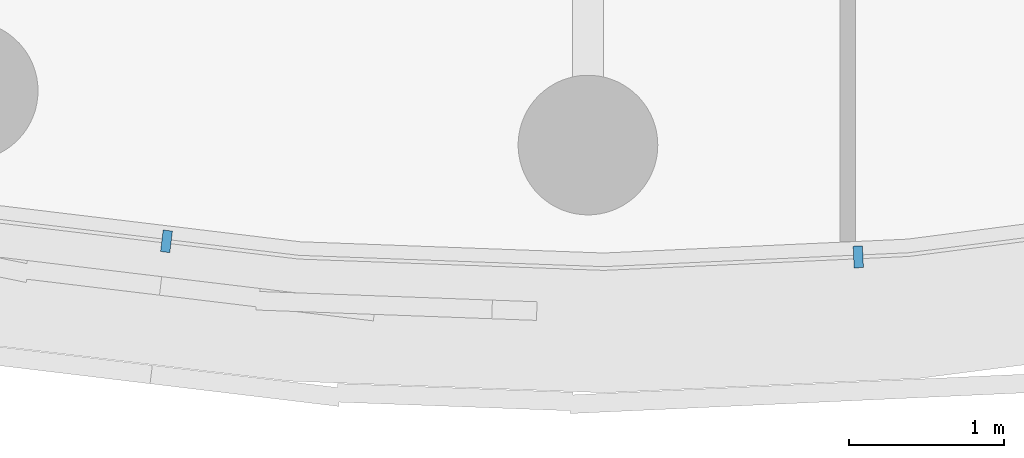
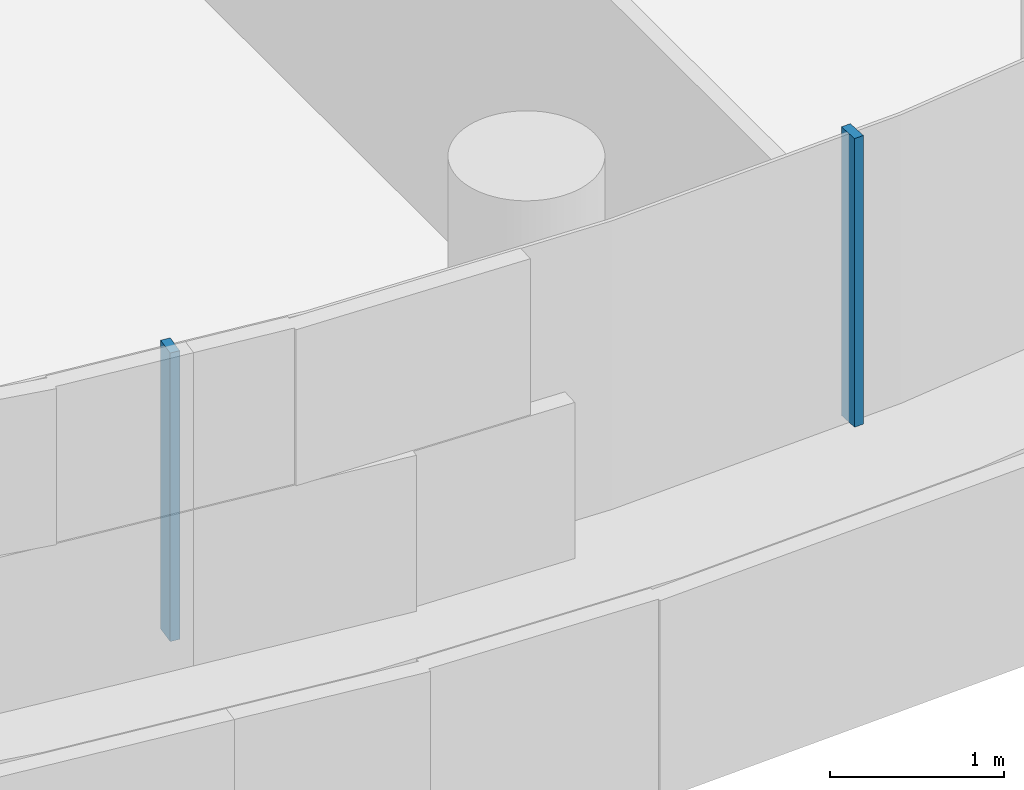
# One storey, part 5 of 26: 2 members, 1 element without a shape of its own.
"""IFC4 building model written with IfcOpenShell, lengths in metres."""

from ifc_helpers import new_model, si_unit, direction, frame, origin, origin_2d, place, context, subcontext, project, spatial, rectangle, extrude, material, layer, layer_set, material_profile, profile_set, type_object, element, aggregate, save


model = new_model("IFC4")

# Units and contexts
model_context = context("Model", 3, precision=1e-05, world=origin(), true_north=direction((0.0, 1.0)))
body_context = subcontext(model_context, "Body", "Model", "MODEL_VIEW")
ifc_project = project(units=[si_unit("LENGTHUNIT", "METRE"), si_unit("AREAUNIT", "SQUARE_METRE"), si_unit("VOLUMEUNIT", "CUBIC_METRE"), si_unit("PLANEANGLEUNIT", "RADIAN"), si_unit("MASSUNIT", "GRAM", prefix="KILO")], contexts=[model_context])

# Site, building, storey
site_placement = place(None, origin())
site = spatial("IfcSite", under=ifc_project, at=site_placement, CompositionType="ELEMENT")
building_placement = place(site_placement, origin())
building = spatial("IfcBuilding", under=site, at=building_placement, Name="Tamarind Cross Interchange Tower", CompositionType="ELEMENT")
storey_placement = place(building_placement, frame((0.0, 0.0, 248.699951171875)))
storey = spatial("IfcBuildingStorey", under=building, at=storey_placement, Name="L63", CompositionType="ELEMENT", Elevation=248.699951171875)

# Curtain wall, members
ifc_material = material(Name="Aluminium 6063-T6", Category="aluminium")
ifc_layer = layer(ifc_material, 0.139892578125)
ifc_layer_set = layer_set([ifc_layer], Name="Aluminium 6063-T6")
curtain_wall_type = type_object("IfcCurtainWallType", Name="Hotel curtain wall, 4.5 m bays", PredefinedType="NOTDEFINED", material=ifc_layer_set)
curtain_wall_placement = place(storey_placement, origin())
curtain_wall = element("IfcCurtainWall", 1, at=curtain_wall_placement, inside=storey, type_object=curtain_wall_type, Name="CWS-L63-01", PredefinedType="NOTDEFINED")
ifc_material_profile = material_profile(ifc_material, rectangle(XDim=0.06005859375, YDim=0.139892578125, at=origin_2d()), Name="Mullion CW2")
ifc_profile_set = profile_set([ifc_material_profile], Name="Aluminium 6063-T6")
member_type = type_object("IfcMemberType", Name="Mullion CW2", PredefinedType="MULLION", material=ifc_profile_set)
member_1_placement = place(storey_placement, frame((-2.716064453125, -23.6201171875, 1.400146484375), z_axis=(0.0, 0.0, 1.0), x_axis=(0.992843710523, -0.119420963295, 0.0)))
member_1 = element("IfcMember", 2, at=member_1_placement, type_object=member_type, Name="CWM-L63-01-05", PredefinedType="MULLION", context=body_context, shape_type="SweptSolid", body=[
    extrude(rectangle(XDim=0.06005859375, YDim=0.139892578125, at=origin_2d()), origin(), (0.0, 0.0, 1.0), 2.02001953125),
])
member_2_placement = place(storey_placement, frame((1.741943359375, -23.720703125, 1.400146484375), z_axis=(0.0, 0.0, 1.0), x_axis=(0.998958660912, 0.045624486728, 0.0)))
member_2 = element("IfcMember", 3, at=member_2_placement, type_object=member_type, Name="CWM-L63-01-06", PredefinedType="MULLION", context=body_context, shape_type="SweptSolid", body=[
    extrude(rectangle(XDim=0.06005859375, YDim=0.139892578125, at=origin_2d()), origin(), (0.0, 0.0, 1.0), 2.02001953125),
])
aggregate(curtain_wall, [member_1, member_2])

save(model, "model.ifc")
